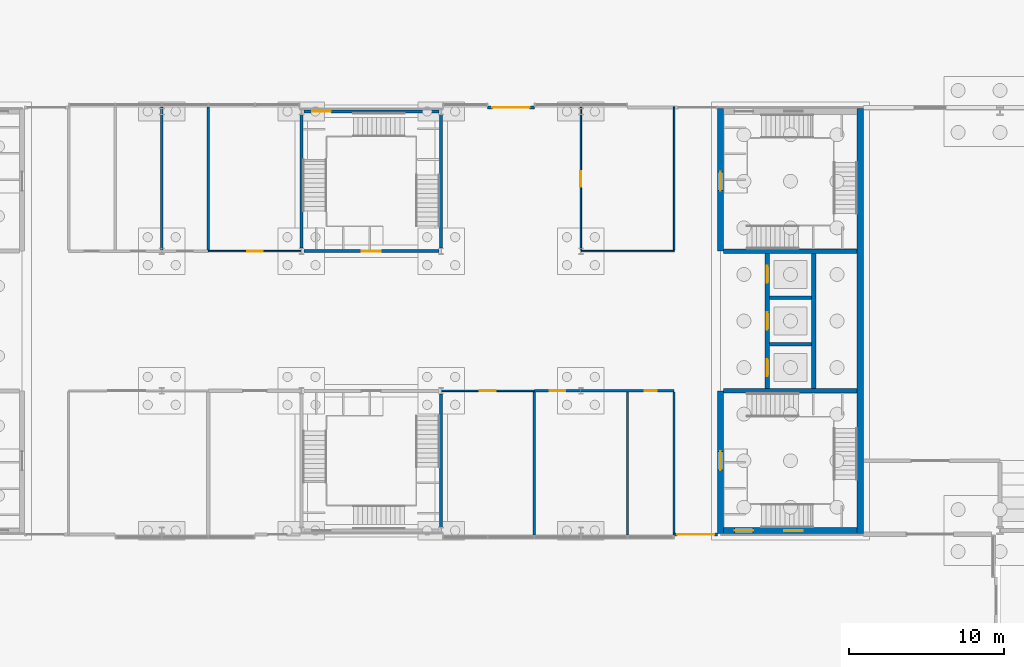
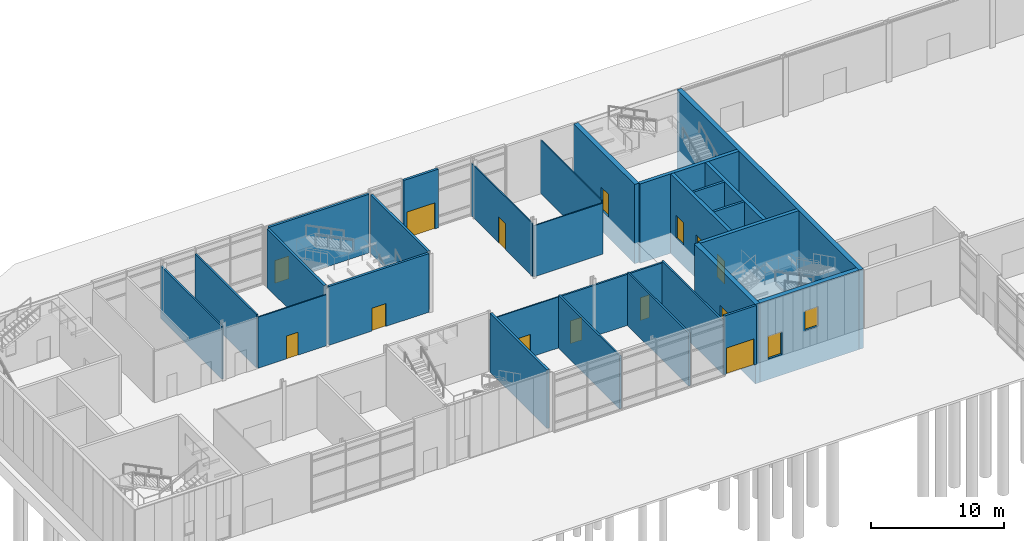
# One storey, part 28 of 45: 28 walls, 15 doors, 1 window, 16 openings.
"""IFC4 building model written with IfcOpenShell, lengths in metres."""

from ifc_helpers import new_model, si_unit, direction, frame, frame_2d, origin, place, context, subcontext, project, spatial, rectangle, extrude, material, layer, layer_set, type_object, element, fill, save


model = new_model("IFC4")

# Units and contexts
model_context = context("Model", 3, precision=1e-05, world=origin(), true_north=direction((0.0, 1.0)))
body_context = subcontext(model_context, "Body", "Model", "MODEL_VIEW")
ifc_project = project(units=[si_unit("LENGTHUNIT", "METRE"), si_unit("AREAUNIT", "SQUARE_METRE"), si_unit("VOLUMEUNIT", "CUBIC_METRE"), si_unit("PLANEANGLEUNIT", "RADIAN"), si_unit("MASSUNIT", "GRAM", prefix="KILO")], contexts=[model_context])

# Site, building, storey
site_placement = place(None, origin())
site = spatial("IfcSite", under=ifc_project, at=site_placement, CompositionType="ELEMENT")
building_placement = place(site_placement, origin())
building = spatial("IfcBuilding", under=site, at=building_placement, Name="Azimuth Sports and Learning Centre", CompositionType="ELEMENT")
storey_placement = place(building_placement, origin())
storey = spatial("IfcBuildingStorey", under=building, at=storey_placement, Name="L00", CompositionType="ELEMENT", Elevation=0.0)

# Walls
ifc_material_1 = material(Name="Dense masonry blockwork", Category="masonry")
ifc_layer_1 = layer(ifc_material_1, 0.199951171875)
ifc_layer_set_1 = layer_set([ifc_layer_1], Name="Dense masonry blockwork")
wall_type_1 = type_object("IfcWallType", Name="Blockwork wall 200 EI 120", PredefinedType="SOLIDWALL", material=ifc_layer_set_1)
for number, where, z_axis, x_axis, name in (
    (1, (57.14990234375, 102.0, -1.89990234375), (0.0, 0.0, 1.0), (1.0, 0.0, 0.0), "SD-W-1-L00"),
    (2, (57.14990234375, 105.0, -1.89990234375), (0.0, 0.0, 1.0), (1.0, 0.0, 0.0), "SD-W-2-L00"),
):
    element("IfcWall", number, at=place(storey_placement, frame(where, z_axis=z_axis, x_axis=x_axis)), inside=storey, type_object=wall_type_1, Name=name, PredefinedType="SOLIDWALL", context=body_context, shape_type="SweptSolid", body=[
        extrude(rectangle(XDim=2.7001953125, YDim=0.199951171875, at=frame_2d((1.35009765625, 0.0))), origin(), (0.0, 0.0, 1.0), 7.2998046875),
    ])

# Wall, opening, door
ifc_material_2 = material(Name="Insulated cladding wall")
ifc_layer_2 = layer(ifc_material_2, 0.199951171875)
ifc_layer_set_2 = layer_set([ifc_layer_2], Name="Insulated cladding wall")
wall_type_2 = type_object("IfcWallType", Name="Entrance wall 200", PredefinedType="SOLIDWALL", material=ifc_layer_set_2)
wall_1_placement = place(storey_placement, frame((51.0, 89.75, 0.0), z_axis=(0.0, 0.0, 1.0), x_axis=(1.0, 0.0, 0.0)))
wall_1 = element("IfcWall", 3, at=wall_1_placement, inside=storey, type_object=wall_type_2, Name="Entrance wall S-WING W-2 L00", PredefinedType="SOLIDWALL", context=body_context, shape_type="SweptSolid", body=[
    extrude(rectangle(XDim=2.800048828125, YDim=0.199951171875, at=frame_2d((1.39990234375, 0.0))), origin(), (0.0, 0.0, 1.0), 5.39990234375),
])
opening_1_placement = place(wall_1_placement, frame((0.199951171875, 0.0, 0.0)))
opening_1 = element("IfcOpeningElement", 4, at=opening_1_placement, cuts=wall_1, Name="Opening D00-003", PredefinedType="OPENING", context=body_context, shape_type="SweptSolid", body=[
    extrude(rectangle(XDim=2.39990234375, YDim=2.39990234375, at=frame_2d((1.199951171875, 1.199951171875))), frame((0.0, 0.11083984375, 0.0), z_axis=(0.0, -1.0, 0.0), x_axis=(1.0, 0.0, 0.0)), (0.0, 0.0, 1.0), 0.221923828125),
])
ifc_material_3 = material(Name="Steel", Category="steel")
door_type_1 = type_object("IfcDoorType", Name="Exterior door double leaf 2400x2400 FD60", OperationType="DOUBLE_DOOR_DOUBLE_SWING", PredefinedType="DOOR", material=ifc_material_3)
door_1_placement = place(opening_1_placement, frame((2.39990234375, 0.0, 0.0), z_axis=(0.0, 0.0, 1.0), x_axis=(-1.0, 0.0, 0.0)))
door_1 = element("IfcDoor", 5, at=door_1_placement, inside=storey, type_object=door_type_1, Name="Exterior door D00-003", OperationType="DOUBLE_DOOR_DOUBLE_SWING", OverallHeight=2.39990234375, OverallWidth=2.39990234375, PredefinedType="DOOR", context=body_context, shape_type="SweptSolid", body=[
    extrude(rectangle(XDim=2.39990234375, YDim=2.39990234375, at=frame_2d((1.199951171875, 1.199951171875))), frame((0.0, 0.02490234375, 0.0), z_axis=(0.0, -1.0, 0.0), x_axis=(1.0, 0.0, 0.0)), (0.0, 0.0, 1.0), 0.050048828125),
])
fill(opening_1, door_1)

wall_2_placement = place(storey_placement, frame((42.0, 117.25, 0.0), z_axis=(0.0, 0.0, 1.0), x_axis=(-1.0, 0.0, 0.0)))
wall_2 = element("IfcWall", 6, at=wall_2_placement, inside=storey, type_object=wall_type_2, Name="Entrance wall N-WING W-1 L00", PredefinedType="SOLIDWALL", context=body_context, shape_type="SweptSolid", body=[
    extrude(rectangle(XDim=3.0, YDim=0.199951171875, at=frame_2d((1.5, 0.0))), origin(), (0.0, 0.0, 1.0), 5.39990234375),
])
opening_2_placement = place(wall_2_placement, frame((0.300048828125, 0.0, 0.0)))
opening_2 = element("IfcOpeningElement", 7, at=opening_2_placement, cuts=wall_2, Name="Opening D00-022", PredefinedType="OPENING", context=body_context, shape_type="SweptSolid", body=[
    extrude(rectangle(XDim=2.39990234375, YDim=2.39990234375, at=frame_2d((1.199951171875, 1.199951171875))), frame((0.0, 0.11083984375, 0.0), z_axis=(0.0, -1.0, 0.0), x_axis=(1.0, 0.0, 0.0)), (0.0, 0.0, 1.0), 0.221923828125),
])
ifc_material_4 = material(Name="Aluminium and glass", Category="aluminium")
door_type_2 = type_object("IfcDoorType", Name="Exterior door double leaf 2400x2400", OperationType="DOUBLE_DOOR_DOUBLE_SWING", PredefinedType="DOOR", material=ifc_material_4)
door_2_placement = place(opening_2_placement, frame((2.39990234375, 0.0, 0.0), z_axis=(0.0, 0.0, 1.0), x_axis=(-1.0, 0.0, 0.0)))
door_2 = element("IfcDoor", 8, at=door_2_placement, inside=storey, type_object=door_type_2, Name="Exterior door D00-022", OperationType="DOUBLE_DOOR_DOUBLE_SWING", OverallHeight=2.39990234375, OverallWidth=2.39990234375, PredefinedType="DOOR", context=body_context, shape_type="SweptSolid", body=[
    extrude(rectangle(XDim=2.39990234375, YDim=2.39990234375, at=frame_2d((1.199951171875, 1.199951171875))), frame((0.0, 0.02490234375, 0.0), z_axis=(0.0, -1.0, 0.0), x_axis=(1.0, 0.0, 0.0)), (0.0, 0.0, 1.0), 0.050048828125),
])
fill(opening_2, door_2)

ifc_material_5 = material(Name="Gypsum board on steel studs", Category="steel")
ifc_layer_3 = layer(ifc_material_5, 0.10009765625)
ifc_layer_set_3 = layer_set([ifc_layer_3], Name="Gypsum board on steel studs")
wall_type_3 = type_object("IfcWallType", Name="Partition 100 EI 30", PredefinedType="PARTITIONING", material=ifc_layer_set_3)
wall_3_placement = place(storey_placement, frame((36.0, 99.0, 0.0), z_axis=(0.0, 0.0, 1.0), x_axis=(1.0, 0.0, 0.0)))
wall_3 = element("IfcWall", 9, at=wall_3_placement, inside=storey, type_object=wall_type_3, Name="Partition 100 EI 30", PredefinedType="PARTITIONING", context=body_context, shape_type="SweptSolid", body=[
    extrude(rectangle(XDim=6.0, YDim=0.10009765625, at=frame_2d((3.0, 0.0))), origin(), (0.0, 0.0, 1.0), 4.699951171875),
])
opening_3_placement = place(wall_3_placement, frame((2.5, 0.0, 0.0)))
opening_3 = element("IfcOpeningElement", 10, at=opening_3_placement, cuts=wall_3, Name="Opening D00-068", PredefinedType="OPENING", context=body_context, shape_type="SweptSolid", body=[
    extrude(rectangle(XDim=1.0, YDim=2.10009765625, at=frame_2d((0.5, 1.050048828125))), frame((0.0, 0.06103515625, 0.0), z_axis=(0.0, -1.0, 0.0), x_axis=(1.0, 0.0, 0.0)), (0.0, 0.0, 1.0), 0.1220703125),
])
ifc_material_6 = material(Name="Timber fire door set", Category="wood")
door_type_3 = type_object("IfcDoorType", Name="Timber door single 1000x2100 FD30S", OperationType="NOTDEFINED", PredefinedType="DOOR", material=ifc_material_6)
door_3_placement = place(opening_3_placement, frame((1.0, 0.0, 0.0), z_axis=(0.0, 0.0, 1.0), x_axis=(-1.0, 0.0, 0.0)))
door_3 = element("IfcDoor", 11, at=door_3_placement, inside=storey, type_object=door_type_3, Name="Door D00-068", OperationType="SINGLE_SWING_RIGHT", OverallHeight=2.10009765625, OverallWidth=1.0, PredefinedType="DOOR", context=body_context, shape_type="SweptSolid", body=[
    extrude(rectangle(XDim=1.0, YDim=2.10009765625, at=frame_2d((0.5, 1.050048828125))), frame((0.0, 0.02490234375, 0.0), z_axis=(0.0, -1.0, 0.0), x_axis=(1.0, 0.0, 0.0)), (0.0, 0.0, 1.0), 0.050048828125),
])
fill(opening_3, door_3)

wall_4_placement = place(storey_placement, frame((21.0, 108.0, 0.0), z_axis=(0.0, 0.0, 1.0), x_axis=(1.0, 0.0, 0.0)))
wall_4 = element("IfcWall", 12, at=wall_4_placement, inside=storey, type_object=wall_type_3, Name="Partition 100 EI 30", PredefinedType="PARTITIONING", context=body_context, shape_type="SweptSolid", body=[
    extrude(rectangle(XDim=6.0, YDim=0.10009765625, at=frame_2d((3.0, 0.0))), origin(), (0.0, 0.0, 1.0), 4.699951171875),
])
opening_4_placement = place(wall_4_placement, frame((2.5, 0.0, 0.0)))
opening_4 = element("IfcOpeningElement", 13, at=opening_4_placement, cuts=wall_4, Name="Opening D00-074", PredefinedType="OPENING", context=body_context, shape_type="SweptSolid", body=[
    extrude(rectangle(XDim=1.0, YDim=2.10009765625, at=frame_2d((0.5, 1.050048828125))), frame((0.0, 0.06103515625, 0.0), z_axis=(0.0, -1.0, 0.0), x_axis=(1.0, 0.0, 0.0)), (0.0, 0.0, 1.0), 0.1220703125),
])
door_4_placement = place(opening_4_placement, origin())
door_4 = element("IfcDoor", 14, at=door_4_placement, inside=storey, type_object=door_type_3, Name="Door D00-074", OperationType="SINGLE_SWING_LEFT", OverallHeight=2.10009765625, OverallWidth=1.0, PredefinedType="DOOR", context=body_context, shape_type="SweptSolid", body=[
    extrude(rectangle(XDim=1.0, YDim=2.10009765625, at=frame_2d((0.5, 1.050048828125))), frame((0.0, 0.02490234375, 0.0), z_axis=(0.0, -1.0, 0.0), x_axis=(1.0, 0.0, 0.0)), (0.0, 0.0, 1.0), 0.050048828125),
])
fill(opening_4, door_4)

# Wall
wall_5_placement = place(storey_placement, frame((45.0, 108.0, 0.0), z_axis=(0.0, 0.0, 1.0), x_axis=(1.0, 0.0, 0.0)))
element("IfcWall", 15, at=wall_5_placement, inside=storey, type_object=wall_type_3, Name="Partition 100 EI 30", PredefinedType="PARTITIONING", context=body_context, shape_type="SweptSolid", body=[
    extrude(rectangle(XDim=6.0, YDim=0.10009765625, at=frame_2d((3.0, 0.0))), origin(), (0.0, 0.0, 1.0), 4.699951171875),
])

# Wall, opening, door
wall_6_placement = place(storey_placement, frame((45.0, 108.050048828125, 0.0), z_axis=(0.0, 0.0, 1.0), x_axis=(0.0, 1.0, 0.0)))
wall_6 = element("IfcWall", 16, at=wall_6_placement, inside=storey, type_object=wall_type_3, Name="Partition 100 EI 30", PredefinedType="PARTITIONING", context=body_context, shape_type="SweptSolid", body=[
    extrude(rectangle(XDim=9.25, YDim=0.10009765625, at=frame_2d((4.625, 0.0))), origin(), (0.0, 0.0, 1.0), 4.85009765625),
])
opening_5_placement = place(wall_6_placement, frame((4.10009765625, 0.0, 0.0)))
opening_5 = element("IfcOpeningElement", 17, at=opening_5_placement, cuts=wall_6, Name="Opening D00-075", PredefinedType="OPENING", context=body_context, shape_type="SweptSolid", body=[
    extrude(rectangle(XDim=1.0, YDim=2.39990234375, at=frame_2d((0.5, 1.199951171875))), frame((0.0, 0.06103515625, 0.0), z_axis=(0.0, -1.0, 0.0), x_axis=(1.0, 0.0, 0.0)), (0.0, 0.0, 1.0), 0.1220703125),
])
ifc_material_7 = material(Name="Timber fire door set", Category="wood")
door_type_4 = type_object("IfcDoorType", Name="Timber door single 1000x2400 FD30S", OperationType="NOTDEFINED", PredefinedType="DOOR", material=ifc_material_7)
door_5_placement = place(opening_5_placement, frame((1.0, 0.0, 0.0), z_axis=(0.0, 0.0, 1.0), x_axis=(-1.0, 0.0, 0.0)))
door_5 = element("IfcDoor", 18, at=door_5_placement, inside=storey, type_object=door_type_4, Name="Door D00-075", OperationType="SINGLE_SWING_RIGHT", OverallHeight=2.39990234375, OverallWidth=1.0, PredefinedType="DOOR", context=body_context, shape_type="SweptSolid", body=[
    extrude(rectangle(XDim=1.0, YDim=2.39990234375, at=frame_2d((0.5, 1.199951171875))), frame((0.0, 0.02490234375, 0.0), z_axis=(0.0, -1.0, 0.0), x_axis=(1.0, 0.0, 0.0)), (0.0, 0.0, 1.0), 0.050048828125),
])
fill(opening_5, door_5)

# Wall
wall_7_placement = place(storey_placement, frame((51.0, 108.050048828125, 0.0), z_axis=(0.0, 0.0, 1.0), x_axis=(0.0, 1.0, 0.0)))
element("IfcWall", 19, at=wall_7_placement, inside=storey, type_object=wall_type_3, Name="Partition 100 EI 30", PredefinedType="PARTITIONING", context=body_context, shape_type="SweptSolid", body=[
    extrude(rectangle(XDim=9.25, YDim=0.10009765625, at=frame_2d((4.625, 0.0))), origin(), (0.0, 0.0, 1.0), 4.889892578125),
])

# Wall, openings, doors
ifc_material_8 = material(Name="Lightweight blockwork, rendered", Category="masonry")
ifc_layer_4 = layer(ifc_material_8, 0.14990234375)
ifc_layer_set_4 = layer_set([ifc_layer_4], Name="Lightweight blockwork, rendered")
wall_type_4 = type_object("IfcWallType", Name="Partition 150 EI 60", PredefinedType="PARTITIONING", material=ifc_layer_set_4)
wall_8_placement = place(storey_placement, frame((42.0, 99.0, 0.0), z_axis=(0.0, 0.0, 1.0), x_axis=(1.0, 0.0, 0.0)))
wall_8 = element("IfcWall", 20, at=wall_8_placement, inside=storey, type_object=wall_type_4, Name="Partition 150 EI 60", PredefinedType="PARTITIONING", context=body_context, shape_type="SweptSolid", body=[
    extrude(rectangle(XDim=9.0, YDim=0.14990234375, at=frame_2d((4.5, 0.0))), origin(), (0.0, 0.0, 1.0), 4.699951171875),
])
opening_6_placement = place(wall_8_placement, frame((1.0, 0.0, 0.0)))
opening_6 = element("IfcOpeningElement", 21, at=opening_6_placement, cuts=wall_8, Name="Opening D00-069", PredefinedType="OPENING", context=body_context, shape_type="SweptSolid", body=[
    extrude(rectangle(XDim=1.0, YDim=2.10009765625, at=frame_2d((0.5, 1.050048828125))), frame((0.0, 0.0859375, 0.0), z_axis=(0.0, -1.0, 0.0), x_axis=(1.0, 0.0, 0.0)), (0.0, 0.0, 1.0), 0.171875),
])
opening_7_placement = place(wall_8_placement, frame((7.10009765625, 0.0, 0.0)))
opening_7 = element("IfcOpeningElement", 22, at=opening_7_placement, cuts=wall_8, Name="Opening D00-070", PredefinedType="OPENING", context=body_context, shape_type="SweptSolid", body=[
    extrude(rectangle(XDim=0.800048828125, YDim=2.10009765625, at=frame_2d((0.39990234375, 1.050048828125))), frame((0.0, 0.0859375, 0.0), z_axis=(0.0, -1.0, 0.0), x_axis=(1.0, 0.0, 0.0)), (0.0, 0.0, 1.0), 0.171875),
])
ifc_material_9 = material(Name="Timber fire door set", Category="wood")
door_type_5 = type_object("IfcDoorType", Name="Timber door single 1000x2100 FD60", OperationType="NOTDEFINED", PredefinedType="DOOR", material=ifc_material_9)
door_6_placement = place(opening_6_placement, frame((1.0, 0.0, 0.0), z_axis=(0.0, 0.0, 1.0), x_axis=(-1.0, 0.0, 0.0)))
door_6 = element("IfcDoor", 23, at=door_6_placement, inside=storey, type_object=door_type_5, Name="Door D00-069", OperationType="SINGLE_SWING_RIGHT", OverallHeight=2.10009765625, OverallWidth=1.0, PredefinedType="DOOR", context=body_context, shape_type="SweptSolid", body=[
    extrude(rectangle(XDim=1.0, YDim=2.10009765625, at=frame_2d((0.5, 1.050048828125))), frame((0.0, 0.02490234375, 0.0), z_axis=(0.0, -1.0, 0.0), x_axis=(1.0, 0.0, 0.0)), (0.0, 0.0, 1.0), 0.050048828125),
])
fill(opening_6, door_6)
ifc_material_10 = material(Name="Timber fire door set", Category="wood")
door_type_6 = type_object("IfcDoorType", Name="Timber door single 800x2100 FD60", OperationType="NOTDEFINED", PredefinedType="DOOR", material=ifc_material_10)
door_7_placement = place(opening_7_placement, frame((0.800048828125, 0.0, 0.0), z_axis=(0.0, 0.0, 1.0), x_axis=(-1.0, 0.0, 0.0)))
door_7 = element("IfcDoor", 24, at=door_7_placement, inside=storey, type_object=door_type_6, Name="Door D00-070", OperationType="SINGLE_SWING_RIGHT", OverallHeight=2.10009765625, OverallWidth=0.800048828125, PredefinedType="DOOR", context=body_context, shape_type="SweptSolid", body=[
    extrude(rectangle(XDim=0.800048828125, YDim=2.10009765625, at=frame_2d((0.39990234375, 1.050048828125))), frame((0.0, 0.02490234375, 0.0), z_axis=(0.0, -1.0, 0.0), x_axis=(1.0, 0.0, 0.0)), (0.0, 0.0, 1.0), 0.050048828125),
])
fill(opening_7, door_7)

# Walls
wall_9_placement = place(storey_placement, frame((18.0, 108.074951171875, 0.0), z_axis=(0.0, 0.0, 1.0), x_axis=(0.0, 1.0, 0.0)))
element("IfcWall", 25, at=wall_9_placement, inside=storey, type_object=wall_type_4, Name="Partition 150 EI 60", PredefinedType="PARTITIONING", context=body_context, shape_type="SweptSolid", body=[
    extrude(rectangle(XDim=9.22509765625, YDim=0.14990234375, at=frame_2d((4.612548828125, 0.0))), origin(), (0.0, 0.0, 1.0), 4.85009765625),
])
for number, where, z_axis, x_axis, name in (
    (26, (21.0, 108.074951171875, 0.0), (0.0, 0.0, 1.0), (0.0, 1.0, 0.0), "Partition 150 EI 60"),
    (27, (42.0, 89.699951171875, 0.0), (0.0, 0.0, 1.0), (0.0, 1.0, 0.0), "Partition 150 EI 60"),
    (28, (48.0, 89.699951171875, 0.0), (0.0, 0.0, 1.0), (0.0, 1.0, 0.0), "Partition 150 EI 60"),
    (29, (51.0, 89.699951171875, 0.0), (0.0, 0.0, 1.0), (0.0, 1.0, 0.0), "Partition 150 EI 60"),
):
    element("IfcWall", number, at=place(storey_placement, frame(where, z_axis=z_axis, x_axis=x_axis)), inside=storey, type_object=wall_type_4, Name=name, PredefinedType="PARTITIONING", context=body_context, shape_type="SweptSolid", body=[
        extrude(rectangle(XDim=9.22509765625, YDim=0.14990234375, at=frame_2d((4.612548828125, 0.0))), origin(), (0.0, 0.0, 1.0), 4.889892578125),
    ])
ifc_material_11 = material(Name="Concrete C40/50", Category="concrete")
ifc_layer_5 = layer(ifc_material_11, 0.199951171875)
ifc_layer_set_5 = layer_set([ifc_layer_5], Name="Concrete C40/50")
wall_type_5 = type_object("IfcWallType", Name="RC cell wall 200 EI 120", PredefinedType="SHEAR", material=ifc_layer_set_5)
wall_10_placement = place(storey_placement, frame((36.0, 90.199951171875, 0.0), z_axis=(0.0, 0.0, 1.0), x_axis=(0.0, 1.0, 0.0)))
element("IfcWall", 30, at=wall_10_placement, inside=storey, type_object=wall_type_5, Name="CE-WM1-E-L00", PredefinedType="SHEAR", context=body_context, shape_type="SweptSolid", body=[
    extrude(rectangle(XDim=8.60009765625, YDim=0.199951171875, at=frame_2d((4.300048828125, 0.0))), origin(), (0.0, 0.0, 1.0), 5.39990234375),
])

# Wall, opening, door
wall_11_placement = place(storey_placement, frame((27.14990234375, 108.0, 0.0), z_axis=(0.0, 0.0, 1.0), x_axis=(1.0, 0.0, 0.0)))
wall_11 = element("IfcWall", 31, at=wall_11_placement, inside=storey, type_object=wall_type_5, Name="CE-WM2-S-L00", PredefinedType="SHEAR", context=body_context, shape_type="SweptSolid", body=[
    extrude(rectangle(XDim=8.7001953125, YDim=0.199951171875, at=frame_2d((4.35009765625, 0.0))), origin(), (0.0, 0.0, 1.0), 5.39990234375),
])
opening_8_placement = place(wall_11_placement, frame((3.75, 0.0, 0.0)))
opening_8 = element("IfcOpeningElement", 32, at=opening_8_placement, cuts=wall_11, Name="Opening D00-042", PredefinedType="OPENING", context=body_context, shape_type="SweptSolid", body=[
    extrude(rectangle(XDim=1.199951171875, YDim=2.10009765625, at=frame_2d((0.60009765625, 1.050048828125))), frame((0.0, 0.11083984375, 0.0), z_axis=(0.0, -1.0, 0.0), x_axis=(1.0, 0.0, 0.0)), (0.0, 0.0, 1.0), 0.221923828125),
])
ifc_material_12 = material(Name="Steel", Category="steel")
door_type_7 = type_object("IfcDoorType", Name="Stair fire door 1200 x 2100", OperationType="NOTDEFINED", PredefinedType="DOOR", material=ifc_material_12)
door_8_placement = place(opening_8_placement, frame((1.199951171875, 0.0, 0.0), z_axis=(0.0, 0.0, 1.0), x_axis=(-1.0, 0.0, 0.0)))
door_8 = element("IfcDoor", 33, at=door_8_placement, inside=storey, type_object=door_type_7, Name="Stair door WM2 L00", OperationType="SINGLE_SWING_RIGHT", OverallHeight=2.10009765625, OverallWidth=1.199951171875, PredefinedType="DOOR", context=body_context, shape_type="SweptSolid", body=[
    extrude(rectangle(XDim=1.199951171875, YDim=2.10009765625, at=frame_2d((0.60009765625, 1.050048828125))), frame((0.0, 0.02490234375, 0.0), z_axis=(0.0, -1.0, 0.0), x_axis=(1.0, 0.0, 0.0)), (0.0, 0.0, 1.0), 0.050048828125),
])
fill(opening_8, door_8)

# Walls
for number, where, z_axis, x_axis, name in (
    (34, (27.0, 108.199951171875, 0.0), (0.0, 0.0, 1.0), (0.0, 1.0, 0.0), "CE-WM2-W-L00"),
    (35, (36.0, 108.199951171875, 0.0), (0.0, 0.0, 1.0), (0.0, 1.0, 0.0), "CE-WM2-E-L00"),
):
    element("IfcWall", number, at=place(storey_placement, frame(where, z_axis=z_axis, x_axis=x_axis)), inside=storey, type_object=wall_type_5, Name=name, PredefinedType="SHEAR", context=body_context, shape_type="SweptSolid", body=[
        extrude(rectangle(XDim=8.60009765625, YDim=0.199951171875, at=frame_2d((4.300048828125, 0.0))), origin(), (0.0, 0.0, 1.0), 5.39990234375),
    ])
ifc_material_13 = material(Name="Concrete C40/50", Category="concrete")
ifc_layer_6 = layer(ifc_material_13, 0.300048828125)
ifc_layer_set_6 = layer_set([ifc_layer_6], Name="Concrete C40/50")
wall_type_6 = type_object("IfcWallType", Name="RC core wall 300", PredefinedType="SHEAR", material=ifc_layer_set_6)
for number, where, z_axis, x_axis, name in (
    (36, (54.199951171875, 99.0, -1.89990234375), (0.0, 0.0, 1.0), (1.0, 0.0, 0.0), "Core wall W D1 L00"),
    (37, (54.199951171875, 108.0, -1.89990234375), (0.0, 0.0, 1.0), (1.0, 0.0, 0.0), "Core wall W D2 L00"),
):
    element("IfcWall", number, at=place(storey_placement, frame(where, z_axis=z_axis, x_axis=x_axis)), inside=storey, type_object=wall_type_6, Name=name, PredefinedType="SHEAR", context=body_context, shape_type="SweptSolid", body=[
        extrude(rectangle(XDim=8.60009765625, YDim=0.300048828125, at=frame_2d((4.300048828125, 0.0))), origin(), (0.0, 0.0, 1.0), 7.2998046875),
    ])

# Wall, openings, doors
wall_12_placement = place(storey_placement, frame((57.0, 99.14990234375, -1.89990234375), z_axis=(0.0, 0.0, 1.0), x_axis=(0.0, 1.0, 0.0)))
wall_12 = element("IfcWall", 38, at=wall_12_placement, inside=storey, type_object=wall_type_6, Name="Core wall W LB1 L00", PredefinedType="SHEAR", context=body_context, shape_type="SweptSolid", body=[
    extrude(rectangle(XDim=8.7001953125, YDim=0.300048828125, at=frame_2d((4.35009765625, 0.0))), origin(), (0.0, 0.0, 1.0), 7.2998046875),
])
opening_9_placement = place(wall_12_placement, frame((0.800048828125, 0.0, 1.89990234375)))
opening_9 = element("IfcOpeningElement", 39, at=opening_9_placement, cuts=wall_12, Name="Opening D00-054", PredefinedType="OPENING", context=body_context, shape_type="SweptSolid", body=[
    extrude(rectangle(XDim=1.10009765625, YDim=2.10009765625, at=frame_2d((0.550048828125, 1.050048828125))), frame((0.0, 0.1611328125, 0.0), z_axis=(0.0, -1.0, 0.0), x_axis=(1.0, 0.0, 0.0)), (0.0, 0.0, 1.0), 0.322021484375),
])
opening_10_placement = place(wall_12_placement, frame((3.800048828125, 0.0, 1.89990234375)))
opening_10 = element("IfcOpeningElement", 40, at=opening_10_placement, cuts=wall_12, Name="Opening D00-055", PredefinedType="OPENING", context=body_context, shape_type="SweptSolid", body=[
    extrude(rectangle(XDim=1.10009765625, YDim=2.10009765625, at=frame_2d((0.550048828125, 1.050048828125))), frame((0.0, 0.1611328125, 0.0), z_axis=(0.0, -1.0, 0.0), x_axis=(1.0, 0.0, 0.0)), (0.0, 0.0, 1.0), 0.322021484375),
])
opening_11_placement = place(wall_12_placement, frame((6.800048828125, 0.0, 1.89990234375)))
opening_11 = element("IfcOpeningElement", 41, at=opening_11_placement, cuts=wall_12, Name="Opening D00-056", PredefinedType="OPENING", context=body_context, shape_type="SweptSolid", body=[
    extrude(rectangle(XDim=1.10009765625, YDim=2.10009765625, at=frame_2d((0.550048828125, 1.050048828125))), frame((0.0, 0.1611328125, 0.0), z_axis=(0.0, -1.0, 0.0), x_axis=(1.0, 0.0, 0.0)), (0.0, 0.0, 1.0), 0.322021484375),
])
ifc_material_14 = material(Name="Stainless steel", Category="steel")
door_type_8 = type_object("IfcDoorType", Name="Lift landing door 1100 x 2100", OperationType="DOUBLE_DOOR_SLIDING", PredefinedType="DOOR", material=ifc_material_14)
door_9_placement = place(opening_9_placement, origin())
door_9 = element("IfcDoor", 42, at=door_9_placement, inside=storey, type_object=door_type_8, Name="Landing door LW1 L00", OperationType="DOUBLE_DOOR_SLIDING", OverallHeight=2.10009765625, OverallWidth=1.10009765625, PredefinedType="DOOR", context=body_context, shape_type="SweptSolid", body=[
    extrude(rectangle(XDim=1.10009765625, YDim=2.10009765625, at=frame_2d((0.550048828125, 1.050048828125))), frame((0.0, 0.02490234375, 0.0), z_axis=(0.0, -1.0, 0.0), x_axis=(1.0, 0.0, 0.0)), (0.0, 0.0, 1.0), 0.050048828125),
])
fill(opening_9, door_9)
door_10_placement = place(opening_10_placement, origin())
door_10 = element("IfcDoor", 43, at=door_10_placement, inside=storey, type_object=door_type_8, Name="Landing door LW2 L00", OperationType="DOUBLE_DOOR_SLIDING", OverallHeight=2.10009765625, OverallWidth=1.10009765625, PredefinedType="DOOR", context=body_context, shape_type="SweptSolid", body=[
    extrude(rectangle(XDim=1.10009765625, YDim=2.10009765625, at=frame_2d((0.550048828125, 1.050048828125))), frame((0.0, 0.02490234375, 0.0), z_axis=(0.0, -1.0, 0.0), x_axis=(1.0, 0.0, 0.0)), (0.0, 0.0, 1.0), 0.050048828125),
])
fill(opening_10, door_10)
door_11_placement = place(opening_11_placement, origin())
door_11 = element("IfcDoor", 44, at=door_11_placement, inside=storey, type_object=door_type_8, Name="Landing door LW3 L00", OperationType="DOUBLE_DOOR_SLIDING", OverallHeight=2.10009765625, OverallWidth=1.10009765625, PredefinedType="DOOR", context=body_context, shape_type="SweptSolid", body=[
    extrude(rectangle(XDim=1.10009765625, YDim=2.10009765625, at=frame_2d((0.550048828125, 1.050048828125))), frame((0.0, 0.02490234375, 0.0), z_axis=(0.0, -1.0, 0.0), x_axis=(1.0, 0.0, 0.0)), (0.0, 0.0, 1.0), 0.050048828125),
])
fill(opening_11, door_11)

# Walls
wall_13_placement = place(storey_placement, frame((60.0, 99.14990234375, -1.89990234375), z_axis=(0.0, 0.0, 1.0), x_axis=(0.0, 1.0, 0.0)))
element("IfcWall", 45, at=wall_13_placement, inside=storey, type_object=wall_type_6, Name="Core wall W LB2 L00", PredefinedType="SHEAR", context=body_context, shape_type="SweptSolid", body=[
    extrude(rectangle(XDim=8.7001953125, YDim=0.300048828125, at=frame_2d((4.35009765625, 0.0))), origin(), (0.0, 0.0, 1.0), 7.2998046875),
])
ifc_material_15 = material(Name="Concrete C40/50", Category="concrete")
ifc_layer_7 = layer(ifc_material_15, 0.39990234375)
ifc_layer_set_7 = layer_set([ifc_layer_7], Name="Concrete C40/50")
wall_type_7 = type_object("IfcWallType", Name="RC core wall 400", PredefinedType="SHEAR", material=ifc_layer_set_7)
wall_14_placement = place(storey_placement, frame((63.0, 89.800048828125, -1.89990234375), z_axis=(0.0, 0.0, 1.0), x_axis=(0.0, 1.0, 0.0)))
element("IfcWall", 46, at=wall_14_placement, inside=storey, type_object=wall_type_7, Name="Core wall W E L00", PredefinedType="SHEAR", context=body_context, shape_type="SweptSolid", body=[
    extrude(rectangle(XDim=27.39990234375, YDim=0.39990234375, at=frame_2d((13.699951171875, 0.0))), origin(), (0.0, 0.0, 1.0), 7.2998046875),
])

# Wall, opening, door
wall_15_placement = place(storey_placement, frame((54.0, 89.800048828125, -1.89990234375), z_axis=(0.0, 0.0, 1.0), x_axis=(0.0, 1.0, 0.0)))
wall_15 = element("IfcWall", 47, at=wall_15_placement, inside=storey, type_object=wall_type_7, Name="Core wall W WS L00", PredefinedType="SHEAR", context=body_context, shape_type="SweptSolid", body=[
    extrude(rectangle(XDim=9.199951171875, YDim=0.39990234375, at=frame_2d((4.60009765625, 0.0))), origin(), (0.0, 0.0, 1.0), 7.2998046875),
])
opening_12_placement = place(wall_15_placement, frame((4.10009765625, 0.0, 1.89990234375)))
opening_12 = element("IfcOpeningElement", 48, at=opening_12_placement, cuts=wall_15, Name="Opening D00-024", PredefinedType="OPENING", context=body_context, shape_type="SweptSolid", body=[
    extrude(rectangle(XDim=1.199951171875, YDim=2.10009765625, at=frame_2d((0.60009765625, 1.050048828125))), frame((0.0, 0.2109375, 0.0), z_axis=(0.0, -1.0, 0.0), x_axis=(1.0, 0.0, 0.0)), (0.0, 0.0, 1.0), 0.421875),
])
door_12_placement = place(opening_12_placement, origin())
door_12 = element("IfcDoor", 49, at=door_12_placement, inside=storey, type_object=door_type_7, Name="Stair door W1 L00", OperationType="SINGLE_SWING_RIGHT", OverallHeight=2.10009765625, OverallWidth=1.199951171875, PredefinedType="DOOR", context=body_context, shape_type="SweptSolid", body=[
    extrude(rectangle(XDim=1.199951171875, YDim=2.10009765625, at=frame_2d((0.60009765625, 1.050048828125))), frame((0.0, 0.02490234375, 0.0), z_axis=(0.0, -1.0, 0.0), x_axis=(1.0, 0.0, 0.0)), (0.0, 0.0, 1.0), 0.050048828125),
])
fill(opening_12, door_12)

wall_16_placement = place(storey_placement, frame((54.0, 108.0, -1.89990234375), z_axis=(0.0, 0.0, 1.0), x_axis=(0.0, 1.0, 0.0)))
wall_16 = element("IfcWall", 50, at=wall_16_placement, inside=storey, type_object=wall_type_7, Name="Core wall W WN L00", PredefinedType="SHEAR", context=body_context, shape_type="SweptSolid", body=[
    extrude(rectangle(XDim=9.199951171875, YDim=0.39990234375, at=frame_2d((4.60009765625, 0.0))), origin(), (0.0, 0.0, 1.0), 7.2998046875),
])
opening_13_placement = place(wall_16_placement, frame((3.89990234375, 0.0, 1.89990234375)))
opening_13 = element("IfcOpeningElement", 51, at=opening_13_placement, cuts=wall_16, Name="Opening D00-026", PredefinedType="OPENING", context=body_context, shape_type="SweptSolid", body=[
    extrude(rectangle(XDim=1.199951171875, YDim=2.10009765625, at=frame_2d((0.60009765625, 1.050048828125))), frame((0.0, 0.2109375, 0.0), z_axis=(0.0, -1.0, 0.0), x_axis=(1.0, 0.0, 0.0)), (0.0, 0.0, 1.0), 0.421875),
])
door_13_placement = place(opening_13_placement, origin())
door_13 = element("IfcDoor", 52, at=door_13_placement, inside=storey, type_object=door_type_7, Name="Stair door W2 L00", OperationType="SINGLE_SWING_LEFT", OverallHeight=2.10009765625, OverallWidth=1.199951171875, PredefinedType="DOOR", context=body_context, shape_type="SweptSolid", body=[
    extrude(rectangle(XDim=1.199951171875, YDim=2.10009765625, at=frame_2d((0.60009765625, 1.050048828125))), frame((0.0, 0.02490234375, 0.0), z_axis=(0.0, -1.0, 0.0), x_axis=(1.0, 0.0, 0.0)), (0.0, 0.0, 1.0), 0.050048828125),
])
fill(opening_13, door_13)

ifc_material_16 = material(Name="Concrete C40/50", Category="concrete")
ifc_layer_8 = layer(ifc_material_16, 0.199951171875)
ifc_layer_set_8 = layer_set([ifc_layer_8], Name="Concrete C40/50")
wall_type_8 = type_object("IfcWallType", Name="RC external cell wall 200 EI 120", PredefinedType="SHEAR", material=ifc_layer_set_8)
wall_17_placement = place(storey_placement, frame((27.14990234375, 117.0, 0.0), z_axis=(0.0, 0.0, 1.0), x_axis=(1.0, 0.0, 0.0)))
wall_17 = element("IfcWall", 53, at=wall_17_placement, inside=storey, type_object=wall_type_8, Name="CE-WM2-N-L00", PredefinedType="SHEAR", context=body_context, shape_type="SweptSolid", body=[
    extrude(rectangle(XDim=8.7001953125, YDim=0.199951171875, at=frame_2d((4.35009765625, 0.0))), origin(), (0.0, 0.0, 1.0), 5.39990234375),
])
opening_14_placement = place(wall_17_placement, frame((0.550048828125, 0.0, 0.0)))
opening_14 = element("IfcOpeningElement", 54, at=opening_14_placement, cuts=wall_17, Name="Opening D00-043", PredefinedType="OPENING", context=body_context, shape_type="SweptSolid", body=[
    extrude(rectangle(XDim=1.199951171875, YDim=2.10009765625, at=frame_2d((0.60009765625, 1.050048828125))), frame((0.0, 0.11083984375, 0.0), z_axis=(0.0, -1.0, 0.0), x_axis=(1.0, 0.0, 0.0)), (0.0, 0.0, 1.0), 0.221923828125),
])
door_14_placement = place(opening_14_placement, origin())
door_14 = element("IfcDoor", 55, at=door_14_placement, inside=storey, type_object=door_type_7, Name="Stair door WM2 L00 exit", OperationType="SINGLE_SWING_LEFT", OverallHeight=2.10009765625, OverallWidth=1.199951171875, PredefinedType="DOOR", context=body_context, shape_type="SweptSolid", body=[
    extrude(rectangle(XDim=1.199951171875, YDim=2.10009765625, at=frame_2d((0.60009765625, 1.050048828125))), frame((0.0, 0.02490234375, 0.0), z_axis=(0.0, -1.0, 0.0), x_axis=(1.0, 0.0, 0.0)), (0.0, 0.0, 1.0), 0.050048828125),
])
fill(opening_14, door_14)

# Wall, openings, door, window
ifc_material_17 = material(Name="Concrete C40/50", Category="concrete")
ifc_layer_9 = layer(ifc_material_17, 0.39990234375)
ifc_layer_set_9 = layer_set([ifc_layer_9], Name="Concrete C40/50")
wall_type_9 = type_object("IfcWallType", Name="RC external core wall 400", PredefinedType="SHEAR", material=ifc_layer_set_9)
wall_18_placement = place(storey_placement, frame((54.199951171875, 90.0, -1.89990234375), z_axis=(0.0, 0.0, 1.0), x_axis=(1.0, 0.0, 0.0)))
wall_18 = element("IfcWall", 56, at=wall_18_placement, inside=storey, type_object=wall_type_9, Name="Core wall W S L00", PredefinedType="SHEAR", context=body_context, shape_type="SweptSolid", body=[
    extrude(rectangle(XDim=8.60009765625, YDim=0.39990234375, at=frame_2d((4.300048828125, 0.0))), origin(), (0.0, 0.0, 1.0), 7.2998046875),
])
opening_15_placement = place(wall_18_placement, frame((3.89990234375, 0.0, 3.39990234375)))
opening_15 = element("IfcOpeningElement", 57, at=opening_15_placement, cuts=wall_18, Name="Opening W00-002", PredefinedType="OPENING", context=body_context, shape_type="SweptSolid", body=[
    extrude(rectangle(XDim=1.199951171875, YDim=1.800048828125, at=frame_2d((0.60009765625, 0.89990234375))), frame((0.0, 0.2109375, 0.0), z_axis=(0.0, -1.0, 0.0), x_axis=(1.0, 0.0, 0.0)), (0.0, 0.0, 1.0), 0.421875),
])
opening_16_placement = place(wall_18_placement, frame((0.699951171875, 0.0, 1.89990234375)))
opening_16 = element("IfcOpeningElement", 58, at=opening_16_placement, cuts=wall_18, Name="Opening D00-025", PredefinedType="OPENING", context=body_context, shape_type="SweptSolid", body=[
    extrude(rectangle(XDim=1.199951171875, YDim=2.10009765625, at=frame_2d((0.60009765625, 1.050048828125))), frame((0.0, 0.2109375, 0.0), z_axis=(0.0, -1.0, 0.0), x_axis=(1.0, 0.0, 0.0)), (0.0, 0.0, 1.0), 0.421875),
])
door_15_placement = place(opening_16_placement, frame((1.199951171875, 0.0, 0.0), z_axis=(0.0, 0.0, 1.0), x_axis=(-1.0, 0.0, 0.0)))
door_15 = element("IfcDoor", 59, at=door_15_placement, inside=storey, type_object=door_type_7, Name="Stair door W1 L00 exit", OperationType="SINGLE_SWING_RIGHT", OverallHeight=2.10009765625, OverallWidth=1.199951171875, PredefinedType="DOOR", context=body_context, shape_type="SweptSolid", body=[
    extrude(rectangle(XDim=1.199951171875, YDim=2.10009765625, at=frame_2d((0.60009765625, 1.050048828125))), frame((0.0, 0.02490234375, 0.0), z_axis=(0.0, -1.0, 0.0), x_axis=(1.0, 0.0, 0.0)), (0.0, 0.0, 1.0), 0.050048828125),
])
fill(opening_16, door_15)
ifc_material_18 = material(Name="Aluminium and glass", Category="aluminium")
window_type = type_object("IfcWindowType", Name="Stair window podium core 1200x1800", PartitioningType="SINGLE_PANEL", PredefinedType="WINDOW", material=ifc_material_18)
window_placement = place(opening_15_placement, origin())
window = element("IfcWindow", 60, at=window_placement, inside=storey, type_object=window_type, Name="Window W00-002", OverallHeight=1.800048828125, OverallWidth=1.199951171875, PartitioningType="SINGLE_PANEL", PredefinedType="WINDOW", context=body_context, shape_type="SweptSolid", body=[
    extrude(rectangle(XDim=1.199951171875, YDim=1.800048828125, at=frame_2d((0.60009765625, 0.89990234375))), frame((0.0, 0.030029296875, 0.0), z_axis=(0.0, -1.0, 0.0), x_axis=(1.0, 0.0, 0.0)), (0.0, 0.0, 1.0), 0.06005859375),
])
fill(opening_15, window)

save(model, "model.ifc")
